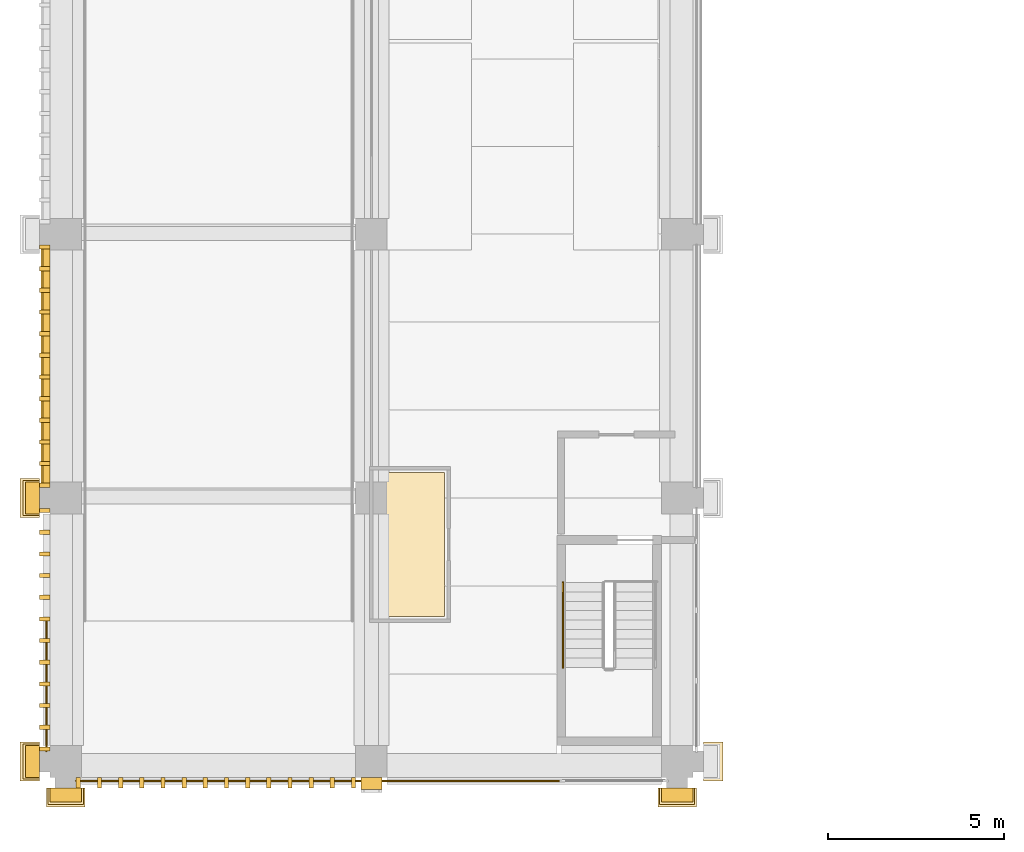
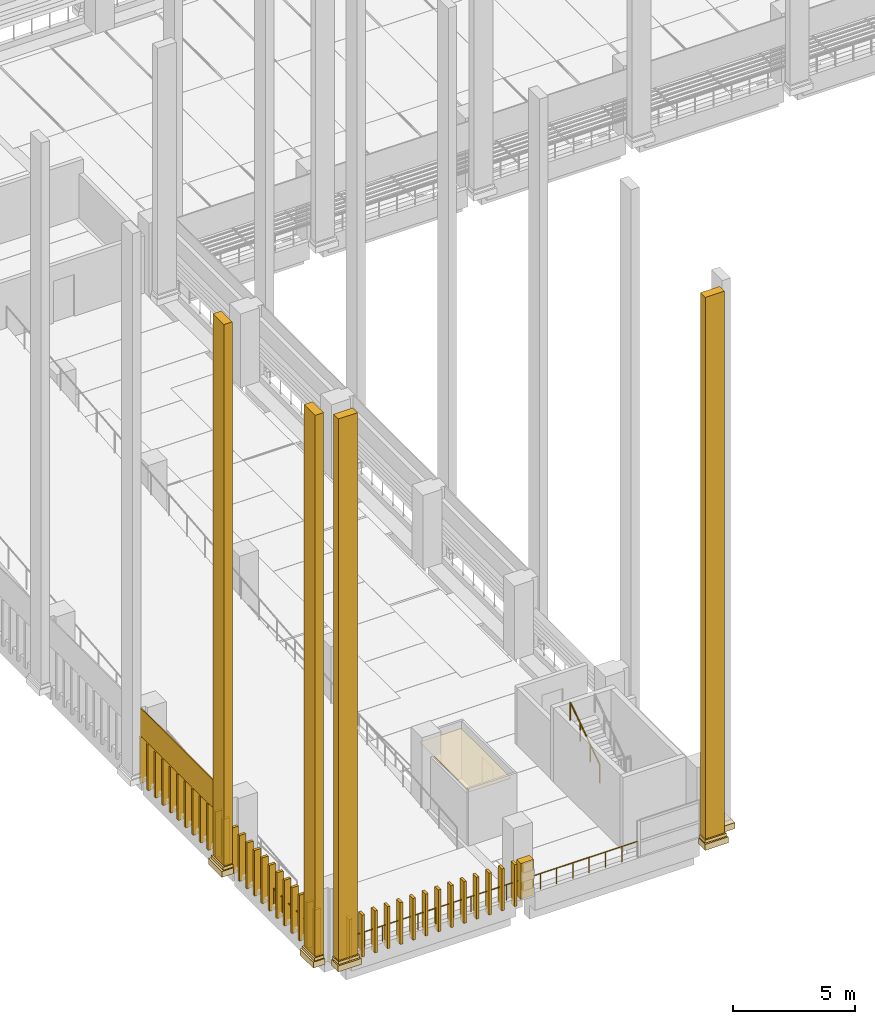
# One storey, part 43 of 67: 54 coverings, 4 railings.
"""IFC4 building model written with IfcOpenShell, lengths in metres."""

from ifc_helpers import new_model, si_unit, direction, frame, origin, origin_2d, place, context, subcontext, project, spatial, polyline, circle, outline, extrude, material, layer, layer_set, type_object, element, save


model = new_model("IFC4")

# Units and contexts
model_context = context("Model", 3, precision=1e-05, world=origin(), true_north=direction((0.0, 1.0)))
body_context = subcontext(model_context, "Body", "Model", "MODEL_VIEW")
ifc_project = project(units=[si_unit("LENGTHUNIT", "METRE"), si_unit("AREAUNIT", "SQUARE_METRE"), si_unit("VOLUMEUNIT", "CUBIC_METRE"), si_unit("PLANEANGLEUNIT", "RADIAN"), si_unit("MASSUNIT", "GRAM", prefix="KILO")], contexts=[model_context])

# Site, building, storey
site_placement = place(None, origin())
site = spatial("IfcSite", under=ifc_project, at=site_placement, CompositionType="ELEMENT")
building_placement = place(site_placement, origin())
building = spatial("IfcBuilding", under=site, at=building_placement, Name="Cour d'Honneur Mobility Palace", CompositionType="ELEMENT")
storey_placement = place(building_placement, frame((0.0, 0.0, 4.5)))
storey = spatial("IfcBuildingStorey", under=building, at=storey_placement, Name="L01", CompositionType="ELEMENT", Elevation=4.5)

# Railings
ifc_material_1 = material(Name="Painted steel", Category="steel")
railing_type_1 = type_object("IfcRailingType", Name="Balustrade", PredefinedType="BALUSTRADE", material=ifc_material_1)
railing_1_placement = place(storey_placement, frame((0.300048828125, -0.550048828125, 0.300048828125)))
element("IfcRailing", 1, at=railing_1_placement, inside=storey, type_object=railing_type_1, Name="Balustrade BAL-1", PredefinedType="BALUSTRADE", context=body_context, shape_type="SweptSolid", body=[
    extrude(circle(Radius=0.02392578125, at=origin_2d()), frame((0.0, 0.0, 0.77587890625), z_axis=(1.0, 0.0, 0.0), x_axis=(0.0, 1.0, 0.0)), (0.0, 0.0, 1.0), 8.39990234375),
    extrude(circle(Radius=0.02099609375, at=origin_2d()), origin(), (0.0, 0.0, 1.0), 0.751953125),
    extrude(circle(Radius=0.02099609375, at=origin_2d()), frame((0.840087890625, 0.0, 0.0)), (0.0, 0.0, 1.0), 0.751953125),
    extrude(circle(Radius=0.02099609375, at=origin_2d()), frame((1.679931640625, 0.0, 0.0)), (0.0, 0.0, 1.0), 0.751953125),
    extrude(circle(Radius=0.02099609375, at=origin_2d()), frame((2.52001953125, 0.0, 0.0)), (0.0, 0.0, 1.0), 0.751953125),
    extrude(circle(Radius=0.02099609375, at=origin_2d()), frame((3.35986328125, 0.0, 0.0)), (0.0, 0.0, 1.0), 0.751953125),
    extrude(circle(Radius=0.02099609375, at=origin_2d()), frame((4.199951171875, 0.0, 0.0)), (0.0, 0.0, 1.0), 0.751953125),
    extrude(circle(Radius=0.02099609375, at=origin_2d()), frame((5.0400390625, 0.0, 0.0)), (0.0, 0.0, 1.0), 0.751953125),
    extrude(circle(Radius=0.02099609375, at=origin_2d()), frame((5.8798828125, 0.0, 0.0)), (0.0, 0.0, 1.0), 0.751953125),
    extrude(circle(Radius=0.02099609375, at=origin_2d()), frame((6.719970703125, 0.0, 0.0)), (0.0, 0.0, 1.0), 0.751953125),
    extrude(circle(Radius=0.02099609375, at=origin_2d()), frame((7.559814453125, 0.0, 0.0)), (0.0, 0.0, 1.0), 0.751953125),
    extrude(circle(Radius=0.02099609375, at=origin_2d()), frame((8.39990234375, 0.0, 0.0)), (0.0, 0.0, 1.0), 0.751953125),
])
railing_2_placement = place(storey_placement, frame((8.699951171875, -0.550048828125, 0.300048828125)))
element("IfcRailing", 2, at=railing_2_placement, inside=storey, type_object=railing_type_1, Name="Balustrade BAL-2", PredefinedType="BALUSTRADE", context=body_context, shape_type="SweptSolid", body=[
    extrude(circle(Radius=0.02392578125, at=origin_2d()), frame((0.0, 0.0, 0.77587890625), z_axis=(1.0, 0.0, 0.0), x_axis=(0.0, 1.0, 0.0)), (0.0, 0.0, 1.0), 5.400146484375),
    extrude(circle(Radius=0.02099609375, at=origin_2d()), origin(), (0.0, 0.0, 1.0), 0.751953125),
    extrude(circle(Radius=0.02099609375, at=origin_2d()), frame((0.771484375, 0.0, 0.0)), (0.0, 0.0, 1.0), 0.751953125),
    extrude(circle(Radius=0.02099609375, at=origin_2d()), frame((1.54296875, 0.0, 0.0)), (0.0, 0.0, 1.0), 0.751953125),
    extrude(circle(Radius=0.02099609375, at=origin_2d()), frame((2.314453125, 0.0, 0.0)), (0.0, 0.0, 1.0), 0.751953125),
    extrude(circle(Radius=0.02099609375, at=origin_2d()), frame((3.085693359375, 0.0, 0.0)), (0.0, 0.0, 1.0), 0.751953125),
    extrude(circle(Radius=0.02099609375, at=origin_2d()), frame((3.857177734375, 0.0, 0.0)), (0.0, 0.0, 1.0), 0.751953125),
    extrude(circle(Radius=0.02099609375, at=origin_2d()), frame((4.628662109375, 0.0, 0.0)), (0.0, 0.0, 1.0), 0.751953125),
    extrude(circle(Radius=0.02099609375, at=origin_2d()), frame((5.400146484375, 0.0, 0.0)), (0.0, 0.0, 1.0), 0.751953125),
])
railing_3_placement = place(storey_placement, frame((-0.550048828125, 4.0, 0.300048828125)))
element("IfcRailing", 3, at=railing_3_placement, inside=storey, type_object=railing_type_1, Name="Balustrade BAL-65", PredefinedType="BALUSTRADE", context=body_context, shape_type="SweptSolid", body=[
    extrude(circle(Radius=0.02392578125, at=origin_2d()), frame((0.0, 0.0, 0.77587890625), z_axis=(0.0, -1.0, 0.0), x_axis=(1.0, 0.0, 0.0)), (0.0, 0.0, 1.0), 3.699951171875),
    extrude(circle(Radius=0.02099609375, at=origin_2d()), origin(), (0.0, 0.0, 1.0), 0.751953125),
    extrude(circle(Radius=0.02099609375, at=origin_2d()), frame((0.0, -0.739990234375, 0.0)), (0.0, 0.0, 1.0), 0.751953125),
    extrude(circle(Radius=0.02099609375, at=origin_2d()), frame((0.0, -1.47998046875, 0.0)), (0.0, 0.0, 1.0), 0.751953125),
    extrude(circle(Radius=0.02099609375, at=origin_2d()), frame((0.0, -2.219970703125, 0.0)), (0.0, 0.0, 1.0), 0.751953125),
    extrude(circle(Radius=0.02099609375, at=origin_2d()), frame((0.0, -2.9599609375, 0.0)), (0.0, 0.0, 1.0), 0.751953125),
    extrude(circle(Radius=0.02099609375, at=origin_2d()), frame((0.0, -3.699951171875, 0.0)), (0.0, 0.0, 1.0), 0.751953125),
])
ifc_material_2 = material(Name="Stainless steel", Category="steel")
railing_type_2 = type_object("IfcRailingType", Name="Handrail round 50", PredefinedType="HANDRAIL", material=ifc_material_2)
railing_4_placement = place(storey_placement, frame((14.14990234375, 2.669921875, 2.034912109375)))
element("IfcRailing", 4, at=railing_4_placement, inside=storey, type_object=railing_type_2, Name="Handrail ST-RW1", PredefinedType="HANDRAIL", context=body_context, shape_type="SweptSolid", body=[
    extrude(circle(Radius=0.02490234375, at=origin_2d()), frame((0.0, 0.0, 0.89501953125), z_axis=(0.0, 0.824945253146, 0.565212640793), x_axis=(-1.0, 0.0, 0.0)), (0.0, 0.0, 1.0), 2.94580078125),
    extrude(circle(Radius=0.02099609375, at=origin_2d()), origin(), (0.0, 0.0, 1.0), 0.869873046875),
    extrude(circle(Radius=0.02099609375, at=origin_2d()), frame((0.0, 0.81005859375, 0.554931640625)), (0.0, 0.0, 1.0), 0.869873046875),
    extrude(circle(Radius=0.02099609375, at=origin_2d()), frame((0.0, 1.6201171875, 1.110107421875)), (0.0, 0.0, 1.0), 0.869873046875),
    extrude(circle(Radius=0.02099609375, at=origin_2d()), frame((0.0, 2.43017578125, 1.6650390625)), (0.0, 0.0, 1.0), 0.869873046875),
])

# Coverings
ifc_material_3 = material(Name="Cast limestone", Category="masonry")
ifc_layer_1 = layer(ifc_material_3, 0.35009765625)
ifc_layer_set_1 = layer_set([ifc_layer_1], Name="Cast limestone")
covering_type_1 = type_object("IfcCoveringType", Name="Pier pilaster", PredefinedType="CLADDING", material=ifc_layer_set_1)
covering_1_placement = place(storey_placement, frame((0.0, 0.0, 0.300048828125)))
element("IfcCovering", 5, at=covering_1_placement, inside=storey, type_object=covering_type_1, Name="Pier pilaster PN-1", PredefinedType="CLADDING", context=body_context, shape_type="SweptSolid", body=[
    extrude(outline(polyline([(8.39990234375, -0.449951171875), (9.0, -0.449951171875), (9.0, -0.800048828125), (8.39990234375, -0.800048828125), (8.39990234375, -0.449951171875)])), origin(), (0.0, 0.0, 1.0), 1.800048828125),
])
ifc_material_4 = material(Name="Cast limestone", Category="masonry")
ifc_layer_2 = layer(ifc_material_4, 0.14990234375)
ifc_layer_set_2 = layer_set([ifc_layer_2], Name="Cast limestone")
covering_type_2 = type_object("IfcCoveringType", Name="Pilaster base", PredefinedType="CLADDING", material=ifc_layer_set_2)
covering_2_placement = place(storey_placement, frame((0.0, 0.0, 0.10009765625)))
element("IfcCovering", 6, at=covering_2_placement, inside=storey, type_object=covering_type_2, Name="Pilaster base PB-1", PredefinedType="CLADDING", context=body_context, shape_type="SweptSolid", body=[
    extrude(outline(polyline([(-0.550048828125, -0.75), (0.550048828125, -0.75), (0.550048828125, -1.300048828125), (-0.550048828125, -1.300048828125), (-0.550048828125, -0.75)])), origin(), (0.0, 0.0, 1.0), 0.2998046875),
])
covering_3_placement = place(storey_placement, frame((0.0, 0.0, 0.39990234375)))
element("IfcCovering", 7, at=covering_3_placement, inside=storey, type_object=covering_type_2, Name="Pilaster base PB-2", PredefinedType="CLADDING", context=body_context, shape_type="SweptSolid", body=[
    extrude(outline(polyline([(-0.5, -0.75), (0.5, -0.75), (0.5, -1.219970703125), (-0.5, -1.219970703125), (-0.5, -0.75)])), origin(), (0.0, 0.0, 1.0), 0.150146484375),
])
covering_4_placement = place(storey_placement, frame((0.0, 0.0, 0.10009765625)))
element("IfcCovering", 8, at=covering_4_placement, inside=storey, type_object=covering_type_2, Name="Pilaster base PB-3", PredefinedType="CLADDING", context=body_context, shape_type="SweptSolid", body=[
    extrude(outline(polyline([(16.85009765625, -0.75), (17.949951171875, -0.75), (17.949951171875, -1.300048828125), (16.85009765625, -1.300048828125), (16.85009765625, -0.75)])), origin(), (0.0, 0.0, 1.0), 0.2998046875),
])
covering_5_placement = place(storey_placement, frame((0.0, 0.0, 0.39990234375)))
element("IfcCovering", 9, at=covering_5_placement, inside=storey, type_object=covering_type_2, Name="Pilaster base PB-4", PredefinedType="CLADDING", context=body_context, shape_type="SweptSolid", body=[
    extrude(outline(polyline([(16.89990234375, -0.75), (17.89990234375, -0.75), (17.89990234375, -1.219970703125), (16.89990234375, -1.219970703125), (16.89990234375, -0.75)])), origin(), (0.0, 0.0, 1.0), 0.150146484375),
])
covering_6_placement = place(storey_placement, frame((0.0, 0.0, 0.10009765625)))
element("IfcCovering", 10, at=covering_6_placement, inside=storey, type_object=covering_type_2, Name="Pilaster base PB-5", PredefinedType="CLADDING", context=body_context, shape_type="SweptSolid", body=[
    extrude(outline(polyline([(18.14990234375, -0.550048828125), (18.14990234375, 0.550048828125), (18.699951171875, 0.550048828125), (18.699951171875, -0.550048828125), (18.14990234375, -0.550048828125)])), origin(), (0.0, 0.0, 1.0), 0.2998046875),
])
covering_7_placement = place(storey_placement, frame((0.0, 0.0, 0.10009765625)))
element("IfcCovering", 11, at=covering_7_placement, inside=storey, type_object=covering_type_2, Name="Pilaster base PB-205", PredefinedType="CLADDING", context=body_context, shape_type="SweptSolid", body=[
    extrude(outline(polyline([(-0.75, 8.050048828125), (-0.75, 6.949951171875), (-1.300048828125, 6.949951171875), (-1.300048828125, 8.050048828125), (-0.75, 8.050048828125)])), origin(), (0.0, 0.0, 1.0), 0.2998046875),
])
covering_8_placement = place(storey_placement, frame((0.0, 0.0, 0.39990234375)))
element("IfcCovering", 12, at=covering_8_placement, inside=storey, type_object=covering_type_2, Name="Pilaster base PB-206", PredefinedType="CLADDING", context=body_context, shape_type="SweptSolid", body=[
    extrude(outline(polyline([(-0.75, 8.0), (-0.75, 7.0), (-1.219970703125, 7.0), (-1.219970703125, 8.0), (-0.75, 8.0)])), origin(), (0.0, 0.0, 1.0), 0.150146484375),
])
covering_9_placement = place(storey_placement, frame((0.0, 0.0, 0.10009765625)))
element("IfcCovering", 13, at=covering_9_placement, inside=storey, type_object=covering_type_2, Name="Pilaster base PB-207", PredefinedType="CLADDING", context=body_context, shape_type="SweptSolid", body=[
    extrude(outline(polyline([(-0.75, 0.550048828125), (-0.75, -0.550048828125), (-1.300048828125, -0.550048828125), (-1.300048828125, 0.550048828125), (-0.75, 0.550048828125)])), origin(), (0.0, 0.0, 1.0), 0.2998046875),
])
covering_10_placement = place(storey_placement, frame((0.0, 0.0, 0.39990234375)))
element("IfcCovering", 14, at=covering_10_placement, inside=storey, type_object=covering_type_2, Name="Pilaster base PB-208", PredefinedType="CLADDING", context=body_context, shape_type="SweptSolid", body=[
    extrude(outline(polyline([(-0.75, 0.5), (-0.75, -0.5), (-1.219970703125, -0.5), (-1.219970703125, 0.5), (-0.75, 0.5)])), origin(), (0.0, 0.0, 1.0), 0.150146484375),
])
ifc_material_5 = material(Name="Cast limestone", Category="masonry")
ifc_layer_3 = layer(ifc_material_5, 0.39990234375)
ifc_layer_set_3 = layer_set([ifc_layer_3], Name="Cast limestone")
covering_type_3 = type_object("IfcCoveringType", Name="Pilaster shaft", PredefinedType="CLADDING", material=ifc_layer_set_3)
covering_11_placement = place(storey_placement, frame((0.0, 0.0, 0.550048828125)))
element("IfcCovering", 15, at=covering_11_placement, inside=storey, type_object=covering_type_3, Name="Pilaster shaft PS-1", PredefinedType="CLADDING", context=body_context, shape_type="SweptSolid", body=[
    extrude(outline(polyline([(-0.449951171875, -0.75), (0.449951171875, -0.75), (0.449951171875, -1.14990234375), (-0.449951171875, -1.14990234375), (-0.449951171875, -0.75)])), origin(), (0.0, 0.0, 1.0), 27.14990234375),
])
covering_12_placement = place(storey_placement, frame((0.0, 0.0, 0.550048828125)))
element("IfcCovering", 16, at=covering_12_placement, inside=storey, type_object=covering_type_3, Name="Pilaster shaft PS-2", PredefinedType="CLADDING", context=body_context, shape_type="SweptSolid", body=[
    extrude(outline(polyline([(16.949951171875, -0.75), (17.85009765625, -0.75), (17.85009765625, -1.14990234375), (16.949951171875, -1.14990234375), (16.949951171875, -0.75)])), origin(), (0.0, 0.0, 1.0), 27.14990234375),
])
covering_13_placement = place(storey_placement, frame((0.0, 0.0, 0.550048828125)))
element("IfcCovering", 17, at=covering_13_placement, inside=storey, type_object=covering_type_3, Name="Pilaster shaft PS-103", PredefinedType="CLADDING", context=body_context, shape_type="SweptSolid", body=[
    extrude(outline(polyline([(-0.75, 7.949951171875), (-0.75, 7.050048828125), (-1.14990234375, 7.050048828125), (-1.14990234375, 7.949951171875), (-0.75, 7.949951171875)])), origin(), (0.0, 0.0, 1.0), 27.14990234375),
])
covering_14_placement = place(storey_placement, frame((0.0, 0.0, 0.550048828125)))
element("IfcCovering", 18, at=covering_14_placement, inside=storey, type_object=covering_type_3, Name="Pilaster shaft PS-104", PredefinedType="CLADDING", context=body_context, shape_type="SweptSolid", body=[
    extrude(outline(polyline([(-0.75, 0.449951171875), (-0.75, -0.449951171875), (-1.14990234375, -0.449951171875), (-1.14990234375, 0.449951171875), (-0.75, 0.449951171875)])), origin(), (0.0, 0.0, 1.0), 27.14990234375),
])
ifc_material_6 = material(Name="Cast limestone", Category="masonry")
ifc_layer_4 = layer(ifc_material_6, 0.1201171875)
ifc_layer_set_4 = layer_set([ifc_layer_4], Name="Cast limestone")
covering_type_4 = type_object("IfcCoveringType", Name="Ramp screen fin", PredefinedType="CLADDING", material=ifc_layer_set_4)
covering_15_placement = place(storey_placement, origin())
element("IfcCovering", 19, at=covering_15_placement, inside=storey, type_object=covering_type_4, Name="Ramp screen fin S0.0 L01 1", PredefinedType="CLADDING", context=body_context, shape_type="SweptSolid", body=[
    extrude(outline(polyline([(0.300048828125, -0.449951171875), (0.419921875, -0.449951171875), (0.419921875, -0.75), (0.300048828125, -0.75), (0.300048828125, -0.449951171875)])), origin(), (0.0, 0.0, 1.0), 2.10009765625),
])
covering_16_placement = place(storey_placement, origin())
element("IfcCovering", 20, at=covering_16_placement, inside=storey, type_object=covering_type_4, Name="Ramp screen fin S0.0 L01 2", PredefinedType="CLADDING", context=body_context, shape_type="SweptSolid", body=[
    extrude(outline(polyline([(0.90234375, -0.449951171875), (1.022216796875, -0.449951171875), (1.022216796875, -0.75), (0.90234375, -0.75), (0.90234375, -0.449951171875)])), origin(), (0.0, 0.0, 1.0), 2.10009765625),
])
covering_17_placement = place(storey_placement, origin())
element("IfcCovering", 21, at=covering_17_placement, inside=storey, type_object=covering_type_4, Name="Ramp screen fin S0.0 L01 3", PredefinedType="CLADDING", context=body_context, shape_type="SweptSolid", body=[
    extrude(outline(polyline([(1.504638671875, -0.449951171875), (1.62451171875, -0.449951171875), (1.62451171875, -0.75), (1.504638671875, -0.75), (1.504638671875, -0.449951171875)])), origin(), (0.0, 0.0, 1.0), 2.10009765625),
])
covering_18_placement = place(storey_placement, origin())
element("IfcCovering", 22, at=covering_18_placement, inside=storey, type_object=covering_type_4, Name="Ramp screen fin S0.0 L01 4", PredefinedType="CLADDING", context=body_context, shape_type="SweptSolid", body=[
    extrude(outline(polyline([(2.10693359375, -0.449951171875), (2.226806640625, -0.449951171875), (2.226806640625, -0.75), (2.10693359375, -0.75), (2.10693359375, -0.449951171875)])), origin(), (0.0, 0.0, 1.0), 2.10009765625),
])
covering_19_placement = place(storey_placement, origin())
element("IfcCovering", 23, at=covering_19_placement, inside=storey, type_object=covering_type_4, Name="Ramp screen fin S0.0 L01 5", PredefinedType="CLADDING", context=body_context, shape_type="SweptSolid", body=[
    extrude(outline(polyline([(2.709228515625, -0.449951171875), (2.829345703125, -0.449951171875), (2.829345703125, -0.75), (2.709228515625, -0.75), (2.709228515625, -0.449951171875)])), origin(), (0.0, 0.0, 1.0), 2.10009765625),
])
covering_20_placement = place(storey_placement, origin())
element("IfcCovering", 24, at=covering_20_placement, inside=storey, type_object=covering_type_4, Name="Ramp screen fin S0.0 L01 6", PredefinedType="CLADDING", context=body_context, shape_type="SweptSolid", body=[
    extrude(outline(polyline([(3.3115234375, -0.449951171875), (3.431640625, -0.449951171875), (3.431640625, -0.75), (3.3115234375, -0.75), (3.3115234375, -0.449951171875)])), origin(), (0.0, 0.0, 1.0), 2.10009765625),
])
covering_21_placement = place(storey_placement, origin())
element("IfcCovering", 25, at=covering_21_placement, inside=storey, type_object=covering_type_4, Name="Ramp screen fin S0.0 L01 7", PredefinedType="CLADDING", context=body_context, shape_type="SweptSolid", body=[
    extrude(outline(polyline([(3.913818359375, -0.449951171875), (4.033935546875, -0.449951171875), (4.033935546875, -0.75), (3.913818359375, -0.75), (3.913818359375, -0.449951171875)])), origin(), (0.0, 0.0, 1.0), 2.10009765625),
])
covering_22_placement = place(storey_placement, origin())
element("IfcCovering", 26, at=covering_22_placement, inside=storey, type_object=covering_type_4, Name="Ramp screen fin S0.0 L01 8", PredefinedType="CLADDING", context=body_context, shape_type="SweptSolid", body=[
    extrude(outline(polyline([(4.51611328125, -0.449951171875), (4.63623046875, -0.449951171875), (4.63623046875, -0.75), (4.51611328125, -0.75), (4.51611328125, -0.449951171875)])), origin(), (0.0, 0.0, 1.0), 2.10009765625),
])
covering_23_placement = place(storey_placement, origin())
element("IfcCovering", 27, at=covering_23_placement, inside=storey, type_object=covering_type_4, Name="Ramp screen fin S0.0 L01 9", PredefinedType="CLADDING", context=body_context, shape_type="SweptSolid", body=[
    extrude(outline(polyline([(5.118408203125, -0.449951171875), (5.238525390625, -0.449951171875), (5.238525390625, -0.75), (5.118408203125, -0.75), (5.118408203125, -0.449951171875)])), origin(), (0.0, 0.0, 1.0), 2.10009765625),
])
covering_24_placement = place(storey_placement, origin())
element("IfcCovering", 28, at=covering_24_placement, inside=storey, type_object=covering_type_4, Name="Ramp screen fin S0.0 L01 10", PredefinedType="CLADDING", context=body_context, shape_type="SweptSolid", body=[
    extrude(outline(polyline([(5.720703125, -0.449951171875), (5.8408203125, -0.449951171875), (5.8408203125, -0.75), (5.720703125, -0.75), (5.720703125, -0.449951171875)])), origin(), (0.0, 0.0, 1.0), 2.10009765625),
])
covering_25_placement = place(storey_placement, origin())
element("IfcCovering", 29, at=covering_25_placement, inside=storey, type_object=covering_type_4, Name="Ramp screen fin S0.0 L01 11", PredefinedType="CLADDING", context=body_context, shape_type="SweptSolid", body=[
    extrude(outline(polyline([(6.322998046875, -0.449951171875), (6.443115234375, -0.449951171875), (6.443115234375, -0.75), (6.322998046875, -0.75), (6.322998046875, -0.449951171875)])), origin(), (0.0, 0.0, 1.0), 2.10009765625),
])
covering_26_placement = place(storey_placement, origin())
element("IfcCovering", 30, at=covering_26_placement, inside=storey, type_object=covering_type_4, Name="Ramp screen fin S0.0 L01 12", PredefinedType="CLADDING", context=body_context, shape_type="SweptSolid", body=[
    extrude(outline(polyline([(6.92529296875, -0.449951171875), (7.04541015625, -0.449951171875), (7.04541015625, -0.75), (6.92529296875, -0.75), (6.92529296875, -0.449951171875)])), origin(), (0.0, 0.0, 1.0), 2.10009765625),
])
covering_27_placement = place(storey_placement, origin())
element("IfcCovering", 31, at=covering_27_placement, inside=storey, type_object=covering_type_4, Name="Ramp screen fin S0.0 L01 13", PredefinedType="CLADDING", context=body_context, shape_type="SweptSolid", body=[
    extrude(outline(polyline([(7.527587890625, -0.449951171875), (7.647705078125, -0.449951171875), (7.647705078125, -0.75), (7.527587890625, -0.75), (7.527587890625, -0.449951171875)])), origin(), (0.0, 0.0, 1.0), 2.10009765625),
])
covering_28_placement = place(storey_placement, origin())
element("IfcCovering", 32, at=covering_28_placement, inside=storey, type_object=covering_type_4, Name="Ramp screen fin S0.0 L01 14", PredefinedType="CLADDING", context=body_context, shape_type="SweptSolid", body=[
    extrude(outline(polyline([(8.1298828125, -0.449951171875), (8.25, -0.449951171875), (8.25, -0.75), (8.1298828125, -0.75), (8.1298828125, -0.449951171875)])), origin(), (0.0, 0.0, 1.0), 2.10009765625),
])
covering_29_placement = place(storey_placement, origin())
element("IfcCovering", 33, at=covering_29_placement, inside=storey, type_object=covering_type_4, Name="Ramp screen fin W11.12 L01 1", PredefinedType="CLADDING", context=body_context, shape_type="SweptSolid", body=[
    extrude(outline(polyline([(-0.449951171875, 14.699951171875), (-0.449951171875, 14.580078125), (-0.75, 14.580078125), (-0.75, 14.699951171875), (-0.449951171875, 14.699951171875)])), origin(), (0.0, 0.0, 1.0), 2.300048828125),
])
covering_30_placement = place(storey_placement, origin())
element("IfcCovering", 34, at=covering_30_placement, inside=storey, type_object=covering_type_4, Name="Ramp screen fin W11.12 L01 2", PredefinedType="CLADDING", context=body_context, shape_type="SweptSolid", body=[
    extrude(outline(polyline([(-0.449951171875, 14.083740234375), (-0.449951171875, 13.963623046875), (-0.75, 13.963623046875), (-0.75, 14.083740234375), (-0.449951171875, 14.083740234375)])), origin(), (0.0, 0.0, 1.0), 2.300048828125),
])
covering_31_placement = place(storey_placement, origin())
element("IfcCovering", 35, at=covering_31_placement, inside=storey, type_object=covering_type_4, Name="Ramp screen fin W11.12 L01 3", PredefinedType="CLADDING", context=body_context, shape_type="SweptSolid", body=[
    extrude(outline(polyline([(-0.449951171875, 13.46728515625), (-0.449951171875, 13.34716796875), (-0.75, 13.34716796875), (-0.75, 13.46728515625), (-0.449951171875, 13.46728515625)])), origin(), (0.0, 0.0, 1.0), 2.300048828125),
])
covering_32_placement = place(storey_placement, origin())
element("IfcCovering", 36, at=covering_32_placement, inside=storey, type_object=covering_type_4, Name="Ramp screen fin W11.12 L01 4", PredefinedType="CLADDING", context=body_context, shape_type="SweptSolid", body=[
    extrude(outline(polyline([(-0.449951171875, 12.850830078125), (-0.449951171875, 12.73095703125), (-0.75, 12.73095703125), (-0.75, 12.850830078125), (-0.449951171875, 12.850830078125)])), origin(), (0.0, 0.0, 1.0), 2.300048828125),
])
covering_33_placement = place(storey_placement, origin())
element("IfcCovering", 37, at=covering_33_placement, inside=storey, type_object=covering_type_4, Name="Ramp screen fin W11.12 L01 5", PredefinedType="CLADDING", context=body_context, shape_type="SweptSolid", body=[
    extrude(outline(polyline([(-0.449951171875, 12.234619140625), (-0.449951171875, 12.114501953125), (-0.75, 12.114501953125), (-0.75, 12.234619140625), (-0.449951171875, 12.234619140625)])), origin(), (0.0, 0.0, 1.0), 2.300048828125),
])
covering_34_placement = place(storey_placement, origin())
element("IfcCovering", 38, at=covering_34_placement, inside=storey, type_object=covering_type_4, Name="Ramp screen fin W11.12 L01 6", PredefinedType="CLADDING", context=body_context, shape_type="SweptSolid", body=[
    extrude(outline(polyline([(-0.449951171875, 11.6181640625), (-0.449951171875, 11.498291015625), (-0.75, 11.498291015625), (-0.75, 11.6181640625), (-0.449951171875, 11.6181640625)])), origin(), (0.0, 0.0, 1.0), 2.300048828125),
])
covering_35_placement = place(storey_placement, origin())
element("IfcCovering", 39, at=covering_35_placement, inside=storey, type_object=covering_type_4, Name="Ramp screen fin W11.12 L01 7", PredefinedType="CLADDING", context=body_context, shape_type="SweptSolid", body=[
    extrude(outline(polyline([(-0.449951171875, 11.001708984375), (-0.449951171875, 10.8818359375), (-0.75, 10.8818359375), (-0.75, 11.001708984375), (-0.449951171875, 11.001708984375)])), origin(), (0.0, 0.0, 1.0), 2.300048828125),
])
covering_36_placement = place(storey_placement, origin())
element("IfcCovering", 40, at=covering_36_placement, inside=storey, type_object=covering_type_4, Name="Ramp screen fin W11.12 L01 8", PredefinedType="CLADDING", context=body_context, shape_type="SweptSolid", body=[
    extrude(outline(polyline([(-0.449951171875, 10.385498046875), (-0.449951171875, 10.265380859375), (-0.75, 10.265380859375), (-0.75, 10.385498046875), (-0.449951171875, 10.385498046875)])), origin(), (0.0, 0.0, 1.0), 2.300048828125),
])
covering_37_placement = place(storey_placement, origin())
element("IfcCovering", 41, at=covering_37_placement, inside=storey, type_object=covering_type_4, Name="Ramp screen fin W11.12 L01 9", PredefinedType="CLADDING", context=body_context, shape_type="SweptSolid", body=[
    extrude(outline(polyline([(-0.449951171875, 9.76904296875), (-0.449951171875, 9.649169921875), (-0.75, 9.649169921875), (-0.75, 9.76904296875), (-0.449951171875, 9.76904296875)])), origin(), (0.0, 0.0, 1.0), 2.300048828125),
])
covering_38_placement = place(storey_placement, origin())
element("IfcCovering", 42, at=covering_38_placement, inside=storey, type_object=covering_type_4, Name="Ramp screen fin W11.12 L01 10", PredefinedType="CLADDING", context=body_context, shape_type="SweptSolid", body=[
    extrude(outline(polyline([(-0.449951171875, 9.15283203125), (-0.449951171875, 9.03271484375), (-0.75, 9.03271484375), (-0.75, 9.15283203125), (-0.449951171875, 9.15283203125)])), origin(), (0.0, 0.0, 1.0), 2.300048828125),
])
covering_39_placement = place(storey_placement, origin())
element("IfcCovering", 43, at=covering_39_placement, inside=storey, type_object=covering_type_4, Name="Ramp screen fin W11.12 L01 11", PredefinedType="CLADDING", context=body_context, shape_type="SweptSolid", body=[
    extrude(outline(polyline([(-0.449951171875, 8.536376953125), (-0.449951171875, 8.416259765625), (-0.75, 8.416259765625), (-0.75, 8.536376953125), (-0.449951171875, 8.536376953125)])), origin(), (0.0, 0.0, 1.0), 2.300048828125),
])
covering_40_placement = place(storey_placement, origin())
element("IfcCovering", 44, at=covering_40_placement, inside=storey, type_object=covering_type_4, Name="Ramp screen fin W11.12 L01 12", PredefinedType="CLADDING", context=body_context, shape_type="SweptSolid", body=[
    extrude(outline(polyline([(-0.449951171875, 7.919921875), (-0.449951171875, 7.800048828125), (-0.75, 7.800048828125), (-0.75, 7.919921875), (-0.449951171875, 7.919921875)])), origin(), (0.0, 0.0, 1.0), 2.300048828125),
])
covering_41_placement = place(storey_placement, origin())
element("IfcCovering", 45, at=covering_41_placement, inside=storey, type_object=covering_type_4, Name="Ramp screen fin W11.13 L01 1", PredefinedType="CLADDING", context=body_context, shape_type="SweptSolid", body=[
    extrude(outline(polyline([(-0.449951171875, 7.199951171875), (-0.449951171875, 7.080078125), (-0.75, 7.080078125), (-0.75, 7.199951171875), (-0.449951171875, 7.199951171875)])), origin(), (0.0, 0.0, 1.0), 2.300048828125),
])
covering_42_placement = place(storey_placement, origin())
element("IfcCovering", 46, at=covering_42_placement, inside=storey, type_object=covering_type_4, Name="Ramp screen fin W11.13 L01 2", PredefinedType="CLADDING", context=body_context, shape_type="SweptSolid", body=[
    extrude(outline(polyline([(-0.449951171875, 6.583740234375), (-0.449951171875, 6.463623046875), (-0.75, 6.463623046875), (-0.75, 6.583740234375), (-0.449951171875, 6.583740234375)])), origin(), (0.0, 0.0, 1.0), 2.300048828125),
])
covering_43_placement = place(storey_placement, origin())
element("IfcCovering", 47, at=covering_43_placement, inside=storey, type_object=covering_type_4, Name="Ramp screen fin W11.13 L01 3", PredefinedType="CLADDING", context=body_context, shape_type="SweptSolid", body=[
    extrude(outline(polyline([(-0.449951171875, 5.96728515625), (-0.449951171875, 5.84716796875), (-0.75, 5.84716796875), (-0.75, 5.96728515625), (-0.449951171875, 5.96728515625)])), origin(), (0.0, 0.0, 1.0), 2.300048828125),
])
covering_44_placement = place(storey_placement, origin())
element("IfcCovering", 48, at=covering_44_placement, inside=storey, type_object=covering_type_4, Name="Ramp screen fin W11.13 L01 4", PredefinedType="CLADDING", context=body_context, shape_type="SweptSolid", body=[
    extrude(outline(polyline([(-0.449951171875, 5.350830078125), (-0.449951171875, 5.23095703125), (-0.75, 5.23095703125), (-0.75, 5.350830078125), (-0.449951171875, 5.350830078125)])), origin(), (0.0, 0.0, 1.0), 2.300048828125),
])
covering_45_placement = place(storey_placement, origin())
element("IfcCovering", 49, at=covering_45_placement, inside=storey, type_object=covering_type_4, Name="Ramp screen fin W11.13 L01 5", PredefinedType="CLADDING", context=body_context, shape_type="SweptSolid", body=[
    extrude(outline(polyline([(-0.449951171875, 4.734619140625), (-0.449951171875, 4.614501953125), (-0.75, 4.614501953125), (-0.75, 4.734619140625), (-0.449951171875, 4.734619140625)])), origin(), (0.0, 0.0, 1.0), 2.300048828125),
])
covering_46_placement = place(storey_placement, origin())
element("IfcCovering", 50, at=covering_46_placement, inside=storey, type_object=covering_type_4, Name="Ramp screen fin W11.13 L01 6", PredefinedType="CLADDING", context=body_context, shape_type="SweptSolid", body=[
    extrude(outline(polyline([(-0.449951171875, 4.1181640625), (-0.449951171875, 3.998291015625), (-0.75, 3.998291015625), (-0.75, 4.1181640625), (-0.449951171875, 4.1181640625)])), origin(), (0.0, 0.0, 1.0), 2.300048828125),
])
covering_47_placement = place(storey_placement, origin())
element("IfcCovering", 51, at=covering_47_placement, inside=storey, type_object=covering_type_4, Name="Ramp screen fin W11.13 L01 7", PredefinedType="CLADDING", context=body_context, shape_type="SweptSolid", body=[
    extrude(outline(polyline([(-0.449951171875, 3.501708984375), (-0.449951171875, 3.3818359375), (-0.75, 3.3818359375), (-0.75, 3.501708984375), (-0.449951171875, 3.501708984375)])), origin(), (0.0, 0.0, 1.0), 2.300048828125),
])
covering_48_placement = place(storey_placement, origin())
element("IfcCovering", 52, at=covering_48_placement, inside=storey, type_object=covering_type_4, Name="Ramp screen fin W11.13 L01 8", PredefinedType="CLADDING", context=body_context, shape_type="SweptSolid", body=[
    extrude(outline(polyline([(-0.449951171875, 2.885498046875), (-0.449951171875, 2.765380859375), (-0.75, 2.765380859375), (-0.75, 2.885498046875), (-0.449951171875, 2.885498046875)])), origin(), (0.0, 0.0, 1.0), 2.300048828125),
])
covering_49_placement = place(storey_placement, origin())
element("IfcCovering", 53, at=covering_49_placement, inside=storey, type_object=covering_type_4, Name="Ramp screen fin W11.13 L01 9", PredefinedType="CLADDING", context=body_context, shape_type="SweptSolid", body=[
    extrude(outline(polyline([(-0.449951171875, 2.26904296875), (-0.449951171875, 2.149169921875), (-0.75, 2.149169921875), (-0.75, 2.26904296875), (-0.449951171875, 2.26904296875)])), origin(), (0.0, 0.0, 1.0), 2.300048828125),
])
covering_50_placement = place(storey_placement, origin())
element("IfcCovering", 54, at=covering_50_placement, inside=storey, type_object=covering_type_4, Name="Ramp screen fin W11.13 L01 10", PredefinedType="CLADDING", context=body_context, shape_type="SweptSolid", body=[
    extrude(outline(polyline([(-0.449951171875, 1.65283203125), (-0.449951171875, 1.53271484375), (-0.75, 1.53271484375), (-0.75, 1.65283203125), (-0.449951171875, 1.65283203125)])), origin(), (0.0, 0.0, 1.0), 2.300048828125),
])
covering_51_placement = place(storey_placement, origin())
element("IfcCovering", 55, at=covering_51_placement, inside=storey, type_object=covering_type_4, Name="Ramp screen fin W11.13 L01 11", PredefinedType="CLADDING", context=body_context, shape_type="SweptSolid", body=[
    extrude(outline(polyline([(-0.449951171875, 1.036376953125), (-0.449951171875, 0.916259765625), (-0.75, 0.916259765625), (-0.75, 1.036376953125), (-0.449951171875, 1.036376953125)])), origin(), (0.0, 0.0, 1.0), 2.300048828125),
])
covering_52_placement = place(storey_placement, origin())
element("IfcCovering", 56, at=covering_52_placement, inside=storey, type_object=covering_type_4, Name="Ramp screen fin W11.13 L01 12", PredefinedType="CLADDING", context=body_context, shape_type="SweptSolid", body=[
    extrude(outline(polyline([(-0.449951171875, 0.419921875), (-0.449951171875, 0.300048828125), (-0.75, 0.300048828125), (-0.75, 0.419921875), (-0.449951171875, 0.419921875)])), origin(), (0.0, 0.0, 1.0), 2.300048828125),
])
ifc_material_7 = material(Name="Cast limestone", Category="masonry")
ifc_layer_5 = layer(ifc_material_7, 0.25)
ifc_layer_set_5 = layer_set([ifc_layer_5], Name="Cast limestone")
covering_type_5 = type_object("IfcCoveringType", Name="Spandrel cladding", PredefinedType="CLADDING", material=ifc_layer_set_5)
covering_53_placement = place(storey_placement, frame((-0.449951171875, 14.699951171875, 2.300048828125), z_axis=(0.0, 1.0, 0.0), x_axis=(-1.0, 0.0, 0.0)))
element("IfcCovering", 57, at=covering_53_placement, inside=storey, type_object=covering_type_5, Name="Spandrel cladding SK-138", PredefinedType="CLADDING", context=body_context, shape_type="SweptSolid", body=[
    extrude(outline(polyline([(0.0, 0.0), (0.25, 0.0), (0.25, 1.39990234375), (0.199951171875, 1.39990234375), (0.199951171875, 0.800048828125), (0.0, 0.800048828125), (0.0, 0.0)])), origin(), (0.0, 0.0, -1.0), 6.89990234375),
])
ifc_material_8 = material(Name="Suspended ceiling")
ifc_layer_6 = layer(ifc_material_8, 0.030029296875)
ifc_layer_set_6 = layer_set([ifc_layer_6], Name="Suspended ceiling")
covering_type_6 = type_object("IfcCoveringType", Name="Suspended ceiling", PredefinedType="CEILING", material=ifc_layer_set_6)
covering_54_placement = place(storey_placement, frame((0.0, 0.0, 2.550048828125)))
element("IfcCovering", 58, at=covering_54_placement, inside=storey, type_object=covering_type_6, Name="Ceiling Attendant Room West", PredefinedType="CEILING", context=body_context, shape_type="SweptSolid", body=[
    extrude(outline(polyline([(10.780029296875, 4.1201171875), (8.820068359375, 4.1201171875), (8.820068359375, 8.22998046875), (10.780029296875, 8.22998046875), (10.780029296875, 4.1201171875)])), origin(), (0.0, 0.0, 1.0), 0.030029296875),
])

save(model, "model.ifc")
